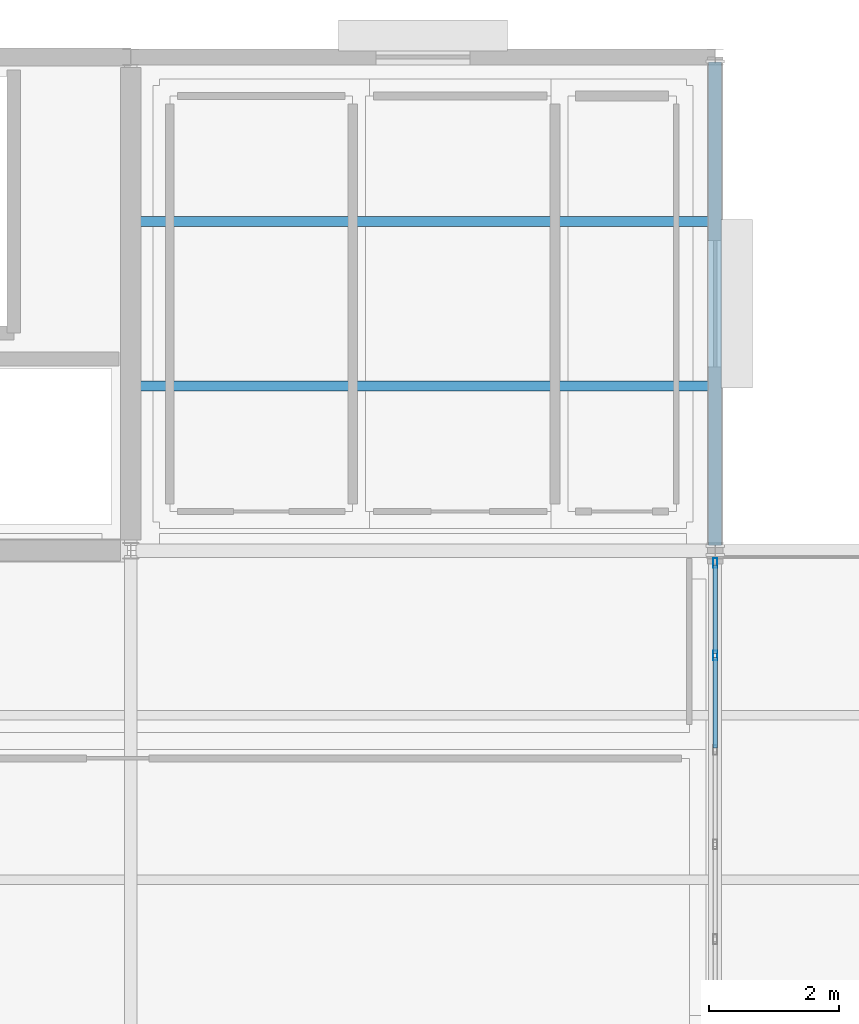
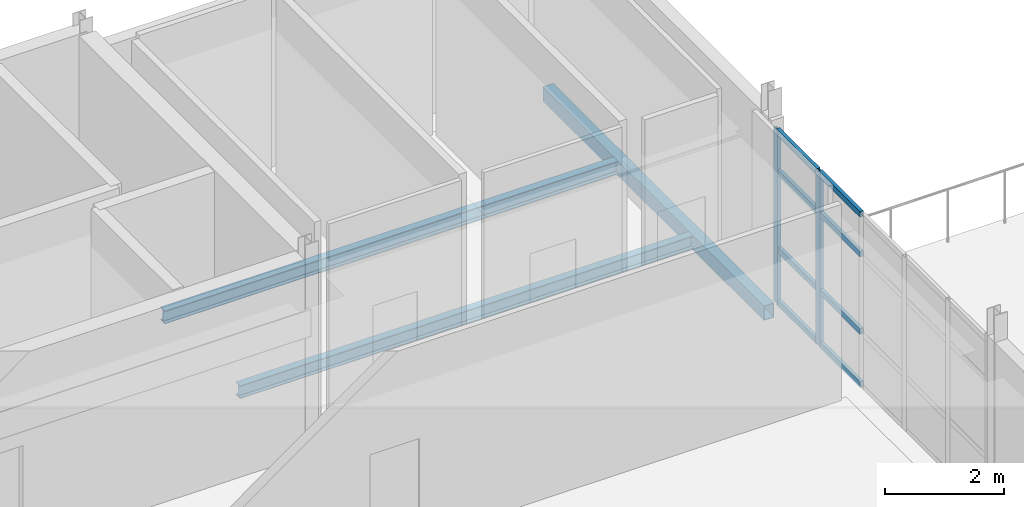
# One storey, part 30 of 48: 10 members, 3 beams, 1 element without a shape of its own.
"""IFC4 building model written with IfcOpenShell, lengths in metres."""

import ifcopenshell
import ifcopenshell.guid

model = None  # the IFC model being written
_history = None  # IfcOwnerHistory: only IFC2X3 demands one
_inside = {}  # id of a spatial element -> (the spatial element, [elements in it])
_under = {}  # id of a project, library or spatial element -> (it, [spatial elements below it])
_declared = {}  # id of a project -> (the project, [libraries it declares])
_typed = {}  # id of a type object -> (the type object, [elements of that type])
_made_of = {}  # id of a material, layer set ... -> (it, [elements and type objects made of it])


def new_model(schema):
    """Start an empty IFC model of exactly this schema.

    Asked for "IFC4X3", IfcOpenShell would pick the latest addendum, in which some entities
    have other attributes; the version numbers below select the first issue.
    IFC2X3 requires an IfcOwnerHistory on every rooted entity: one is made here for all.
    """
    global model, _history
    if schema == "IFC4X3":
        model = ifcopenshell.file(schema_version=(4, 3, 0, 0))
    else:
        model = ifcopenshell.file(schema=schema)
    _inside.clear()
    _under.clear()
    _declared.clear()
    _typed.clear()
    _made_of.clear()
    _history = None
    if model.schema == "IFC2X3":
        org = make("IfcOrganization", Name="unknown")
        user = make(
            "IfcPersonAndOrganization",
            ThePerson=make("IfcPerson", FamilyName="unknown"),
            TheOrganization=org,
        )
        app = make(
            "IfcApplication",
            ApplicationDeveloper=org,
            Version="unknown",
            ApplicationFullName="unknown",
            ApplicationIdentifier="unknown",
        )
        _history = make(
            "IfcOwnerHistory",
            OwningUser=user,
            OwningApplication=app,
            ChangeAction="ADDED",
            CreationDate=0,
        )
    return model


def make(cls, **values):
    """One entity of the class cls with the attributes given. An attribute that is None is left unset."""
    return model.create_entity(
        cls, **{name: value for name, value in values.items() if value is not None}
    )


def rooted(cls, **values):
    """An entity with a GlobalId (a new one), such as an element, a storey or a relation."""
    return make(cls, GlobalId=ifcopenshell.guid.new(), OwnerHistory=_history, **values)


def si_unit(unit_type, name, prefix=None):
    """IfcSIUnit, for example si_unit("LENGTHUNIT", "METRE", prefix="MILLI")."""
    return make("IfcSIUnit", UnitType=unit_type, Prefix=prefix, Name=name)


def assignment(units):
    """IfcUnitAssignment: the units of a project."""
    return None if units is None else make("IfcUnitAssignment", Units=units)


def point(xyz):
    """IfcCartesianPoint."""
    return None if xyz is None else make("IfcCartesianPoint", Coordinates=xyz)


def direction(xyz):
    """IfcDirection."""
    return None if xyz is None else make("IfcDirection", DirectionRatios=xyz)


def frame(location, z_axis=None, x_axis=None):
    """IfcAxis2Placement3D, a coordinate frame: its origin and axes. An axis left out is left unset."""
    return make(
        "IfcAxis2Placement3D",
        Location=point(location),
        Axis=direction(z_axis),
        RefDirection=direction(x_axis),
    )


def frame_2d(location, x_axis=None):
    """IfcAxis2Placement2D, a coordinate frame in the plane: its origin and x axis."""
    return make(
        "IfcAxis2Placement2D", Location=point(location), RefDirection=direction(x_axis)
    )


def origin():
    """The frame at (0, 0, 0) with its axes left unset."""
    return frame((0.0, 0.0, 0.0))


def origin_2d():
    """The frame at (0, 0) in the plane with its x axis left unset."""
    return frame_2d((0.0, 0.0))


def place(relative_to, where):
    """IfcLocalPlacement: puts the frame where relative to a parent placement (None: the world)."""
    return make(
        "IfcLocalPlacement", PlacementRelTo=relative_to, RelativePlacement=where
    )


def context(
    kind, dimensions, precision=None, world=None, true_north=None, identifier=None
):
    """IfcGeometricRepresentationContext, for example the 3D "Model" context."""
    return make(
        "IfcGeometricRepresentationContext",
        ContextIdentifier=identifier,
        ContextType=kind,
        CoordinateSpaceDimension=dimensions,
        Precision=precision,
        WorldCoordinateSystem=world,
        TrueNorth=true_north,
    )


def subcontext(parent, identifier, kind, view, scale=None):
    """IfcGeometricRepresentationSubContext, for example "Body" below "Model"."""
    return make(
        "IfcGeometricRepresentationSubContext",
        ContextIdentifier=identifier,
        ContextType=kind,
        ParentContext=parent,
        TargetScale=scale,
        TargetView=view,
    )


def project(units=None, contexts=None):
    """IfcProject with its units and contexts."""
    return rooted(
        "IfcProject",
        Name="project",
        RepresentationContexts=contexts,
        UnitsInContext=assignment(units),
    )


def spatial(cls, under=None, at=None, **own):
    """A site, building, storey or space (cls), placed at a placement, below another one or the project."""
    s = rooted(cls, ObjectPlacement=at, **own)
    if under is not None:
        _under.setdefault(under.id(), (under, []))[1].append(s)
    return s


def profile(cls, at=None, kind="AREA", **sizes):
    """A parametric profile (cls). Its sizes go by their IFC names, for example OverallWidth=200.0."""
    return make(cls, ProfileType=kind, Position=at, **sizes)


def hollow_rectangle(**sizes):
    """IfcRectangleHollowProfileDef."""
    return profile("IfcRectangleHollowProfileDef", **sizes)


def i_section(**sizes):
    """IfcIShapeProfileDef."""
    return profile("IfcIShapeProfileDef", **sizes)


def extrude(swept, where, along, depth):
    """IfcExtrudedAreaSolid: the profile swept, set in the frame where, extruded along a direction by depth."""
    return make(
        "IfcExtrudedAreaSolid",
        SweptArea=swept,
        Position=where,
        ExtrudedDirection=direction(along),
        Depth=depth,
    )


def shape(context_of_items, identifier, shape_type, items):
    """IfcShapeRepresentation: the items that make up one representation, for example the "Body"."""
    return make(
        "IfcShapeRepresentation",
        ContextOfItems=context_of_items,
        RepresentationIdentifier=identifier,
        RepresentationType=shape_type,
        Items=items,
    )


def material(Name=None, Category=None):
    """IfcMaterial."""
    return make("IfcMaterial", Name=Name, Category=Category)


def material_profile(
    of_material, cross_section, Name=None, Category=None, Priority=None
):
    """IfcMaterialProfile: a cross section and its material."""
    return make(
        "IfcMaterialProfile",
        Name=Name,
        Material=of_material,
        Profile=cross_section,
        Priority=Priority,
        Category=Category,
    )


def profile_set(profiles, Name=None, composite=None):
    """IfcMaterialProfileSet."""
    return make(
        "IfcMaterialProfileSet",
        Name=Name,
        MaterialProfiles=profiles,
        CompositeProfile=composite,
    )


def made_of(thing, what):
    """Note that an element or type object is made of a material, layer set ...; save() writes the relation."""
    if what is not None:
        _made_of.setdefault(what.id(), (what, []))[1].append(thing)
    return thing


def type_object(cls, material=None, **own):
    """A type object (cls), such as IfcWallType, which elements share."""
    return made_of(rooted(cls, **own), material)


def element(
    cls,
    number,
    at=None,
    inside=None,
    cuts=None,
    type_object=None,
    material=None,
    context=None,
    identifier="Body",
    shape_type=None,
    held_by="IfcProductDefinitionShape",
    body=None,
    shapes=None,
    **own,
):
    """One element of the class cls, such as IfcWall. Its Tag is "e" and its number.

    at: its placement. inside: the storey or other place that contains it. cuts: it is an
    opening in that element (IfcRelVoidsElement). A single representation is given by context,
    identifier, shape_type and body (its items); several are given by shapes. held_by: the class
    of the entity that holds the representations. save() writes the other relations.
    """
    e = rooted(cls, Tag="e%d" % number, ObjectPlacement=at, **own)
    if body is not None:
        shapes = [shape(context, identifier, shape_type, body)]
    if shapes is not None:
        e.Representation = make(held_by, Representations=shapes)
    if inside is not None:
        _inside.setdefault(inside.id(), (inside, []))[1].append(e)
    if cuts is not None:
        rooted(
            "IfcRelVoidsElement", RelatingBuildingElement=cuts, RelatedOpeningElement=e
        )
    if type_object is not None:
        _typed.setdefault(type_object.id(), (type_object, []))[1].append(e)
    return made_of(e, material)


def aggregate(whole, parts):
    """IfcRelAggregates: a whole, such as a stair, and the parts it consists of."""
    return rooted("IfcRelAggregates", RelatingObject=whole, RelatedObjects=parts)


def save(model, path):
    """Write the relations noted so far, then the file.

    IfcRelAggregates (storeys below a building ...), IfcRelContainedInSpatialStructure (elements
    in a storey), IfcRelDefinesByType, IfcRelAssociatesMaterial and IfcRelDeclares: one each for
    every whole, place, type object, material and project.
    """
    for whole, parts in _under.values():
        aggregate(whole, parts)
    for where, things in _inside.values():
        rooted(
            "IfcRelContainedInSpatialStructure",
            RelatedElements=things,
            RelatingStructure=where,
        )
    for kind, things in _typed.values():
        rooted("IfcRelDefinesByType", RelatedObjects=things, RelatingType=kind)
    for what, things in _made_of.values():
        rooted("IfcRelAssociatesMaterial", RelatedObjects=things, RelatingMaterial=what)
    for by, libraries in _declared.values():
        rooted("IfcRelDeclares", RelatingContext=by, RelatedDefinitions=libraries)
    model.write(path)


model = new_model("IFC4")

# Units and contexts
model_context = context("Model", 3, precision=1e-05, world=origin(), true_north=direction((0.0, 1.0)))
body_context = subcontext(model_context, "Body", "Model", "MODEL_VIEW")
ifc_project = project(units=[si_unit("LENGTHUNIT", "METRE"), si_unit("AREAUNIT", "SQUARE_METRE"), si_unit("VOLUMEUNIT", "CUBIC_METRE"), si_unit("PLANEANGLEUNIT", "RADIAN"), si_unit("MASSUNIT", "GRAM", prefix="KILO")], contexts=[model_context])

# Site, building, storey
site_placement = place(None, origin())
site = spatial("IfcSite", under=ifc_project, at=site_placement, CompositionType="ELEMENT")
building_placement = place(site_placement, origin())
building = spatial("IfcBuilding", under=site, at=building_placement, Name="Caisbarro Railhouse Central Library", CompositionType="ELEMENT")
storey_placement = place(building_placement, frame((0.0, 0.0, 18.0)))
storey = spatial("IfcBuildingStorey", under=building, at=storey_placement, Name="L04", CompositionType="ELEMENT", Elevation=18.0)

# Beams
ifc_material_1 = material(Name="Steel ASTM A572 Grade 50", Category="steel")
ifc_material_profile_1 = material_profile(ifc_material_1, i_section(OverallWidth=0.14794921875, OverallDepth=0.26611328125, WebThickness=0.007568359375, FlangeThickness=0.012939453125, FilletRadius=0.010009765625, at=origin_2d()), Name="W250X44.8")
ifc_profile_set_1 = profile_set([ifc_material_profile_1], Name="Steel ASTM A572 Grade 50")
beam_type_1 = type_object("IfcBeamType", Name="BM-J04", PredefinedType="JOIST", material=ifc_profile_set_1)
for number, where, z_axis, x_axis, name in (
    (1, (135.094970703125, 108.933349609375, -0.35302734375), (1.0, 0.0, 0.0), (0.0, 1.0, 0.0), "J04 beam L04 #2138"),
    (2, (135.094970703125, 111.466796875, -0.35302734375), (1.0, 0.0, 0.0), (0.0, 1.0, 0.0), "J04 beam L04 #2139"),
):
    element("IfcBeam", number, at=place(storey_placement, frame(where, z_axis=z_axis, x_axis=x_axis)), inside=storey, type_object=beam_type_1, Name=name, PredefinedType="JOIST", context=body_context, shape_type="SweptSolid", body=[
        extrude(i_section(OverallWidth=0.14794921875, OverallDepth=0.26611328125, WebThickness=0.007568359375, FlangeThickness=0.012939453125, FilletRadius=0.010009765625, at=origin_2d()), origin(), (0.0, 0.0, 1.0), 8.804931640625),
    ])
ifc_material_profile_2 = material_profile(ifc_material_1, hollow_rectangle(XDim=0.199951171875, YDim=0.300048828125, WallThickness=0.012451171875, at=origin_2d()), Name="HSS300X200X12.5")
ifc_profile_set_2 = profile_set([ifc_material_profile_2], Name="Steel ASTM A572 Grade 50")
beam_type_2 = type_object("IfcBeamType", Name="BM-SP02", PredefinedType="SPANDREL", material=ifc_profile_set_2)
beam_placement = place(storey_placement, frame((144.0, 106.47998046875, -0.3701171875), z_axis=(0.0, 1.0, 0.0), x_axis=(-1.0, 0.0, 0.0)))
element("IfcBeam", 3, at=beam_placement, inside=storey, type_object=beam_type_2, Name="SP02 beam L04 #2115", PredefinedType="SPANDREL", context=body_context, shape_type="SweptSolid", body=[
    extrude(hollow_rectangle(XDim=0.199951171875, YDim=0.300048828125, WallThickness=0.012451171875, at=origin_2d()), origin(), (0.0, 0.0, 1.0), 7.43994140625),
])

# Curtain wall, members
ifc_material_2 = material(Name="Anodised architectural aluminium", Category="aluminium")
curtain_wall_type = type_object("IfcCurtainWallType", Name="CW-CW03", PredefinedType="NOTDEFINED", material=ifc_material_2)
curtain_wall_placement = place(storey_placement, origin())
curtain_wall = element("IfcCurtainWall", 4, at=curtain_wall_placement, inside=storey, type_object=curtain_wall_type, Name="CW03 curtain wall L04 #165", PredefinedType="NOTDEFINED")
ifc_material_profile_3 = material_profile(ifc_material_2, hollow_rectangle(XDim=0.06494140625, YDim=0.14990234375, WallThickness=0.00390625, at=origin_2d()), Name="ALU-MUL-65X150")
ifc_profile_set_3 = profile_set([ifc_material_profile_3], Name="Anodised architectural aluminium")
member_type_1 = type_object("IfcMemberType", Name="CWM-M02", PredefinedType="MULLION", material=ifc_profile_set_3)
member_1_placement = place(storey_placement, frame((144.0, 104.783935546875, 0.0), z_axis=(0.0, 0.0, 1.0), x_axis=(-1.0, 0.0, 0.0)))
member_1 = element("IfcMember", 5, at=member_1_placement, type_object=member_type_1, Name="CW03 mullion 5", PredefinedType="MULLION", context=body_context, shape_type="SweptSolid", body=[
    extrude(hollow_rectangle(XDim=0.06494140625, YDim=0.14990234375, WallThickness=0.00390625, at=origin_2d()), origin(), (0.0, 0.0, 1.0), 3.56005859375),
])
member_2_placement = place(storey_placement, frame((144.0, 106.20751953125, 0.0), z_axis=(0.0, 0.0, 1.0), x_axis=(-1.0, 0.0, 0.0)))
member_2 = element("IfcMember", 6, at=member_2_placement, type_object=member_type_1, Name="CW03 mullion 6", PredefinedType="MULLION", context=body_context, shape_type="SweptSolid", body=[
    extrude(hollow_rectangle(XDim=0.06494140625, YDim=0.14990234375, WallThickness=0.00390625, at=origin_2d()), origin(), (0.0, 0.0, 1.0), 3.56005859375),
])
ifc_material_profile_4 = material_profile(ifc_material_2, hollow_rectangle(XDim=0.06494140625, YDim=0.1201171875, WallThickness=0.00341796875, at=origin_2d()), Name="ALU-TRN-65X120")
ifc_profile_set_4 = profile_set([ifc_material_profile_4], Name="Anodised architectural aluminium")
member_type_2 = type_object("IfcMemberType", Name="CWT-T02", PredefinedType="USERDEFINED", material=ifc_profile_set_4)
member_3_placement = place(storey_placement, frame((144.0, 103.360595703125, 0.032470703125), z_axis=(0.0, 1.0, 0.0), x_axis=(-1.0, 0.0, 0.0)))
member_3 = element("IfcMember", 7, at=member_3_placement, type_object=member_type_2, Name="CW03 transom 4.1", ObjectType="TRANSOM", PredefinedType="USERDEFINED", context=body_context, shape_type="SweptSolid", body=[
    extrude(hollow_rectangle(XDim=0.06494140625, YDim=0.1201171875, WallThickness=0.00341796875, at=origin_2d()), origin(), (0.0, 0.0, 1.0), 1.390869140625),
])
member_4_placement = place(storey_placement, frame((144.0, 103.360595703125, 1.1201171875), z_axis=(0.0, 1.0, 0.0), x_axis=(-1.0, 0.0, 0.0)))
member_4 = element("IfcMember", 8, at=member_4_placement, type_object=member_type_2, Name="CW03 transom 4.2", ObjectType="TRANSOM", PredefinedType="USERDEFINED", context=body_context, shape_type="SweptSolid", body=[
    extrude(hollow_rectangle(XDim=0.06494140625, YDim=0.1201171875, WallThickness=0.00341796875, at=origin_2d()), origin(), (0.0, 0.0, 1.0), 1.390869140625),
])
member_5_placement = place(storey_placement, frame((144.0, 103.360595703125, 2.7099609375), z_axis=(0.0, 1.0, 0.0), x_axis=(-1.0, 0.0, 0.0)))
member_5 = element("IfcMember", 9, at=member_5_placement, type_object=member_type_2, Name="CW03 transom 4.3", ObjectType="TRANSOM", PredefinedType="USERDEFINED", context=body_context, shape_type="SweptSolid", body=[
    extrude(hollow_rectangle(XDim=0.06494140625, YDim=0.1201171875, WallThickness=0.00341796875, at=origin_2d()), origin(), (0.0, 0.0, 1.0), 1.390869140625),
])
member_6_placement = place(storey_placement, frame((144.0, 103.360595703125, 3.527587890625), z_axis=(0.0, 1.0, 0.0), x_axis=(-1.0, 0.0, 0.0)))
member_6 = element("IfcMember", 10, at=member_6_placement, type_object=member_type_2, Name="CW03 transom 4.4", ObjectType="TRANSOM", PredefinedType="USERDEFINED", context=body_context, shape_type="SweptSolid", body=[
    extrude(hollow_rectangle(XDim=0.06494140625, YDim=0.1201171875, WallThickness=0.00341796875, at=origin_2d()), origin(), (0.0, 0.0, 1.0), 1.390869140625),
])
member_7_placement = place(storey_placement, frame((144.0, 104.81640625, 0.032470703125), z_axis=(0.0, 1.0, 0.0), x_axis=(-1.0, 0.0, 0.0)))
member_7 = element("IfcMember", 11, at=member_7_placement, type_object=member_type_2, Name="CW03 transom 5.1", ObjectType="TRANSOM", PredefinedType="USERDEFINED", context=body_context, shape_type="SweptSolid", body=[
    extrude(hollow_rectangle(XDim=0.06494140625, YDim=0.1201171875, WallThickness=0.00341796875, at=origin_2d()), origin(), (0.0, 0.0, 1.0), 1.358642578125),
])
member_8_placement = place(storey_placement, frame((144.0, 104.81640625, 1.1201171875), z_axis=(0.0, 1.0, 0.0), x_axis=(-1.0, 0.0, 0.0)))
member_8 = element("IfcMember", 12, at=member_8_placement, type_object=member_type_2, Name="CW03 transom 5.2", ObjectType="TRANSOM", PredefinedType="USERDEFINED", context=body_context, shape_type="SweptSolid", body=[
    extrude(hollow_rectangle(XDim=0.06494140625, YDim=0.1201171875, WallThickness=0.00341796875, at=origin_2d()), origin(), (0.0, 0.0, 1.0), 1.358642578125),
])
member_9_placement = place(storey_placement, frame((144.0, 104.81640625, 2.7099609375), z_axis=(0.0, 1.0, 0.0), x_axis=(-1.0, 0.0, 0.0)))
member_9 = element("IfcMember", 13, at=member_9_placement, type_object=member_type_2, Name="CW03 transom 5.3", ObjectType="TRANSOM", PredefinedType="USERDEFINED", context=body_context, shape_type="SweptSolid", body=[
    extrude(hollow_rectangle(XDim=0.06494140625, YDim=0.1201171875, WallThickness=0.00341796875, at=origin_2d()), origin(), (0.0, 0.0, 1.0), 1.358642578125),
])
member_10_placement = place(storey_placement, frame((144.0, 104.81640625, 3.527587890625), z_axis=(0.0, 1.0, 0.0), x_axis=(-1.0, 0.0, 0.0)))
member_10 = element("IfcMember", 14, at=member_10_placement, type_object=member_type_2, Name="CW03 transom 5.4", ObjectType="TRANSOM", PredefinedType="USERDEFINED", context=body_context, shape_type="SweptSolid", body=[
    extrude(hollow_rectangle(XDim=0.06494140625, YDim=0.1201171875, WallThickness=0.00341796875, at=origin_2d()), origin(), (0.0, 0.0, 1.0), 1.358642578125),
])
aggregate(curtain_wall, [member_1, member_2, member_3, member_4, member_5, member_6, member_7, member_8, member_9, member_10])

save(model, "model.ifc")
